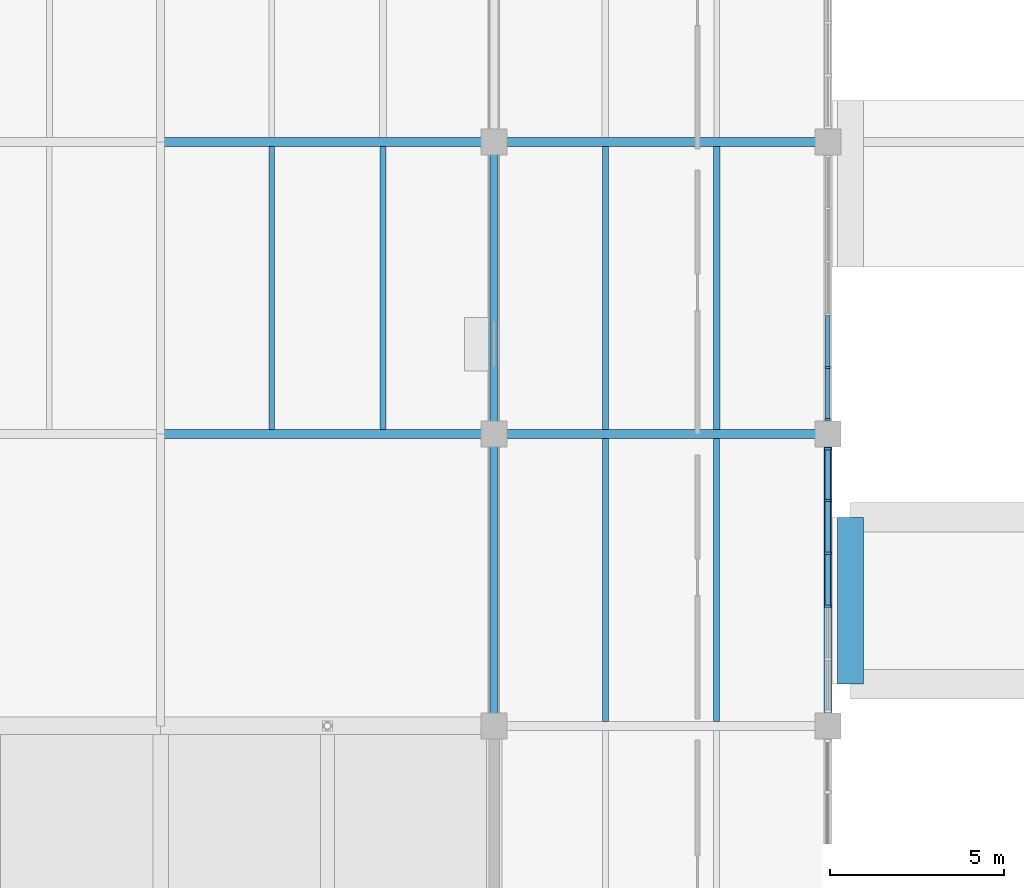
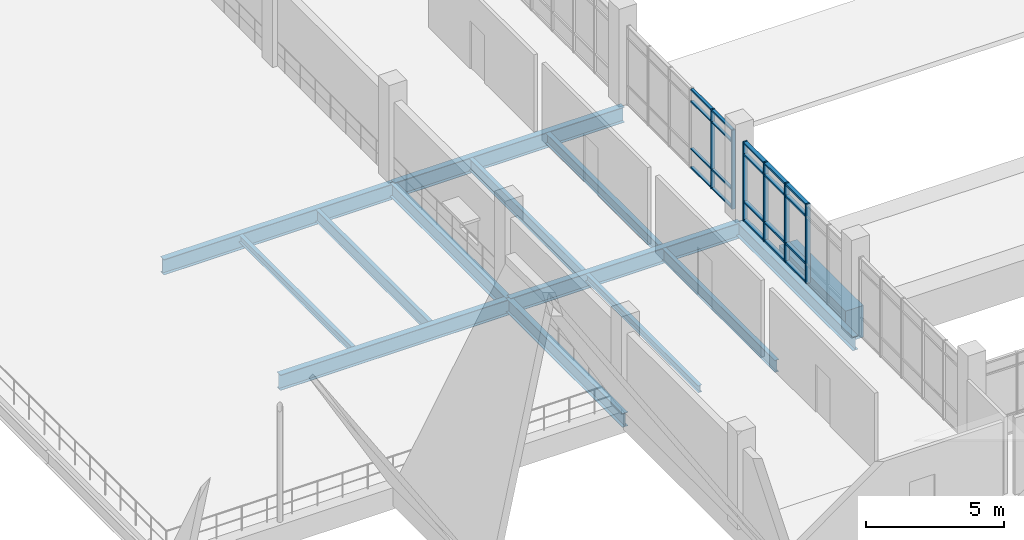
# One storey, part 22 of 86: 26 members, 14 beams, 2 elements without a shape of their own.
"""IFC4 building model written with IfcOpenShell, lengths in metres."""

import ifcopenshell
import ifcopenshell.guid

model = None  # the IFC model being written
_history = None  # IfcOwnerHistory: only IFC2X3 demands one
_inside = {}  # id of a spatial element -> (the spatial element, [elements in it])
_under = {}  # id of a project, library or spatial element -> (it, [spatial elements below it])
_declared = {}  # id of a project -> (the project, [libraries it declares])
_typed = {}  # id of a type object -> (the type object, [elements of that type])
_made_of = {}  # id of a material, layer set ... -> (it, [elements and type objects made of it])


def new_model(schema):
    """Start an empty IFC model of exactly this schema.

    Asked for "IFC4X3", IfcOpenShell would pick the latest addendum, in which some entities
    have other attributes; the version numbers below select the first issue.
    IFC2X3 requires an IfcOwnerHistory on every rooted entity: one is made here for all.
    """
    global model, _history
    if schema == "IFC4X3":
        model = ifcopenshell.file(schema_version=(4, 3, 0, 0))
    else:
        model = ifcopenshell.file(schema=schema)
    _inside.clear()
    _under.clear()
    _declared.clear()
    _typed.clear()
    _made_of.clear()
    _history = None
    if model.schema == "IFC2X3":
        org = make("IfcOrganization", Name="unknown")
        user = make(
            "IfcPersonAndOrganization",
            ThePerson=make("IfcPerson", FamilyName="unknown"),
            TheOrganization=org,
        )
        app = make(
            "IfcApplication",
            ApplicationDeveloper=org,
            Version="unknown",
            ApplicationFullName="unknown",
            ApplicationIdentifier="unknown",
        )
        _history = make(
            "IfcOwnerHistory",
            OwningUser=user,
            OwningApplication=app,
            ChangeAction="ADDED",
            CreationDate=0,
        )
    return model


def make(cls, **values):
    """One entity of the class cls with the attributes given. An attribute that is None is left unset."""
    return model.create_entity(
        cls, **{name: value for name, value in values.items() if value is not None}
    )


def rooted(cls, **values):
    """An entity with a GlobalId (a new one), such as an element, a storey or a relation."""
    return make(cls, GlobalId=ifcopenshell.guid.new(), OwnerHistory=_history, **values)


def si_unit(unit_type, name, prefix=None):
    """IfcSIUnit, for example si_unit("LENGTHUNIT", "METRE", prefix="MILLI")."""
    return make("IfcSIUnit", UnitType=unit_type, Prefix=prefix, Name=name)


def assignment(units):
    """IfcUnitAssignment: the units of a project."""
    return None if units is None else make("IfcUnitAssignment", Units=units)


def point(xyz):
    """IfcCartesianPoint."""
    return None if xyz is None else make("IfcCartesianPoint", Coordinates=xyz)


def direction(xyz):
    """IfcDirection."""
    return None if xyz is None else make("IfcDirection", DirectionRatios=xyz)


def frame(location, z_axis=None, x_axis=None):
    """IfcAxis2Placement3D, a coordinate frame: its origin and axes. An axis left out is left unset."""
    return make(
        "IfcAxis2Placement3D",
        Location=point(location),
        Axis=direction(z_axis),
        RefDirection=direction(x_axis),
    )


def frame_2d(location, x_axis=None):
    """IfcAxis2Placement2D, a coordinate frame in the plane: its origin and x axis."""
    return make(
        "IfcAxis2Placement2D", Location=point(location), RefDirection=direction(x_axis)
    )


def origin():
    """The frame at (0, 0, 0) with its axes left unset."""
    return frame((0.0, 0.0, 0.0))


def origin_2d():
    """The frame at (0, 0) in the plane with its x axis left unset."""
    return frame_2d((0.0, 0.0))


def place(relative_to, where):
    """IfcLocalPlacement: puts the frame where relative to a parent placement (None: the world)."""
    return make(
        "IfcLocalPlacement", PlacementRelTo=relative_to, RelativePlacement=where
    )


def context(
    kind, dimensions, precision=None, world=None, true_north=None, identifier=None
):
    """IfcGeometricRepresentationContext, for example the 3D "Model" context."""
    return make(
        "IfcGeometricRepresentationContext",
        ContextIdentifier=identifier,
        ContextType=kind,
        CoordinateSpaceDimension=dimensions,
        Precision=precision,
        WorldCoordinateSystem=world,
        TrueNorth=true_north,
    )


def subcontext(parent, identifier, kind, view, scale=None):
    """IfcGeometricRepresentationSubContext, for example "Body" below "Model"."""
    return make(
        "IfcGeometricRepresentationSubContext",
        ContextIdentifier=identifier,
        ContextType=kind,
        ParentContext=parent,
        TargetScale=scale,
        TargetView=view,
    )


def project(units=None, contexts=None):
    """IfcProject with its units and contexts."""
    return rooted(
        "IfcProject",
        Name="project",
        RepresentationContexts=contexts,
        UnitsInContext=assignment(units),
    )


def spatial(cls, under=None, at=None, **own):
    """A site, building, storey or space (cls), placed at a placement, below another one or the project."""
    s = rooted(cls, ObjectPlacement=at, **own)
    if under is not None:
        _under.setdefault(under.id(), (under, []))[1].append(s)
    return s


def profile(cls, at=None, kind="AREA", **sizes):
    """A parametric profile (cls). Its sizes go by their IFC names, for example OverallWidth=200.0."""
    return make(cls, ProfileType=kind, Position=at, **sizes)


def rectangle(**sizes):
    """IfcRectangleProfileDef."""
    return profile("IfcRectangleProfileDef", **sizes)


def i_section(**sizes):
    """IfcIShapeProfileDef."""
    return profile("IfcIShapeProfileDef", **sizes)


def extrude(swept, where, along, depth):
    """IfcExtrudedAreaSolid: the profile swept, set in the frame where, extruded along a direction by depth."""
    return make(
        "IfcExtrudedAreaSolid",
        SweptArea=swept,
        Position=where,
        ExtrudedDirection=direction(along),
        Depth=depth,
    )


def shape(context_of_items, identifier, shape_type, items):
    """IfcShapeRepresentation: the items that make up one representation, for example the "Body"."""
    return make(
        "IfcShapeRepresentation",
        ContextOfItems=context_of_items,
        RepresentationIdentifier=identifier,
        RepresentationType=shape_type,
        Items=items,
    )


def material(Name=None, Category=None):
    """IfcMaterial."""
    return make("IfcMaterial", Name=Name, Category=Category)


def material_profile(
    of_material, cross_section, Name=None, Category=None, Priority=None
):
    """IfcMaterialProfile: a cross section and its material."""
    return make(
        "IfcMaterialProfile",
        Name=Name,
        Material=of_material,
        Profile=cross_section,
        Priority=Priority,
        Category=Category,
    )


def profile_set(profiles, Name=None, composite=None):
    """IfcMaterialProfileSet."""
    return make(
        "IfcMaterialProfileSet",
        Name=Name,
        MaterialProfiles=profiles,
        CompositeProfile=composite,
    )


def made_of(thing, what):
    """Note that an element or type object is made of a material, layer set ...; save() writes the relation."""
    if what is not None:
        _made_of.setdefault(what.id(), (what, []))[1].append(thing)
    return thing


def type_object(cls, material=None, **own):
    """A type object (cls), such as IfcWallType, which elements share."""
    return made_of(rooted(cls, **own), material)


def element(
    cls,
    number,
    at=None,
    inside=None,
    cuts=None,
    type_object=None,
    material=None,
    context=None,
    identifier="Body",
    shape_type=None,
    held_by="IfcProductDefinitionShape",
    body=None,
    shapes=None,
    **own,
):
    """One element of the class cls, such as IfcWall. Its Tag is "e" and its number.

    at: its placement. inside: the storey or other place that contains it. cuts: it is an
    opening in that element (IfcRelVoidsElement). A single representation is given by context,
    identifier, shape_type and body (its items); several are given by shapes. held_by: the class
    of the entity that holds the representations. save() writes the other relations.
    """
    e = rooted(cls, Tag="e%d" % number, ObjectPlacement=at, **own)
    if body is not None:
        shapes = [shape(context, identifier, shape_type, body)]
    if shapes is not None:
        e.Representation = make(held_by, Representations=shapes)
    if inside is not None:
        _inside.setdefault(inside.id(), (inside, []))[1].append(e)
    if cuts is not None:
        rooted(
            "IfcRelVoidsElement", RelatingBuildingElement=cuts, RelatedOpeningElement=e
        )
    if type_object is not None:
        _typed.setdefault(type_object.id(), (type_object, []))[1].append(e)
    return made_of(e, material)


def aggregate(whole, parts):
    """IfcRelAggregates: a whole, such as a stair, and the parts it consists of."""
    return rooted("IfcRelAggregates", RelatingObject=whole, RelatedObjects=parts)


def save(model, path):
    """Write the relations noted so far, then the file.

    IfcRelAggregates (storeys below a building ...), IfcRelContainedInSpatialStructure (elements
    in a storey), IfcRelDefinesByType, IfcRelAssociatesMaterial and IfcRelDeclares: one each for
    every whole, place, type object, material and project.
    """
    for whole, parts in _under.values():
        aggregate(whole, parts)
    for where, things in _inside.values():
        rooted(
            "IfcRelContainedInSpatialStructure",
            RelatedElements=things,
            RelatingStructure=where,
        )
    for kind, things in _typed.values():
        rooted("IfcRelDefinesByType", RelatedObjects=things, RelatingType=kind)
    for what, things in _made_of.values():
        rooted("IfcRelAssociatesMaterial", RelatedObjects=things, RelatingMaterial=what)
    for by, libraries in _declared.values():
        rooted("IfcRelDeclares", RelatingContext=by, RelatedDefinitions=libraries)
    model.write(path)


model = new_model("IFC4")

# Units and contexts
model_context = context("Model", 3, precision=1e-05, world=origin(), true_north=direction((0.0, 1.0)))
body_context = subcontext(model_context, "Body", "Model", "MODEL_VIEW")
ifc_project = project(units=[si_unit("LENGTHUNIT", "METRE"), si_unit("AREAUNIT", "SQUARE_METRE"), si_unit("VOLUMEUNIT", "CUBIC_METRE"), si_unit("PLANEANGLEUNIT", "RADIAN"), si_unit("MASSUNIT", "GRAM", prefix="KILO")], contexts=[model_context])

# Site, building, storey
site_placement = place(None, origin())
site = spatial("IfcSite", under=ifc_project, at=site_placement, CompositionType="ELEMENT")
building_placement = place(site_placement, origin())
building = spatial("IfcBuilding", under=site, at=building_placement, Name="Oolite Switchyard Hospital", CompositionType="ELEMENT")
storey_placement = place(building_placement, frame((0.0, 0.0, 13.5)))
storey = spatial("IfcBuildingStorey", under=building, at=storey_placement, Name="L03", CompositionType="ELEMENT", Elevation=13.5)

# Beams
ifc_material_1 = material(Name="Concrete C40/50", Category="concrete")
ifc_material_profile_1 = material_profile(ifc_material_1, rectangle(XDim=0.75, YDim=1.39990234375, at=origin_2d()), Name="RCT750X1400")
ifc_profile_set_1 = profile_set([ifc_material_profile_1], Name="Concrete C40/50")
beam_type_1 = type_object("IfcBeamType", Name="BM-TR750X1400", PredefinedType="BEAM", material=ifc_profile_set_1)
beam_1_placement = place(storey_placement, frame((144.64990234375, 34.800048828125, -0.699951171875), z_axis=(0.0, 1.0, 0.0), x_axis=(-1.0, 0.0, 0.0)))
element("IfcBeam", 1, at=beam_1_placement, inside=storey, type_object=beam_type_1, Name="L03 Y-Girder 2310", PredefinedType="BEAM", context=body_context, shape_type="SweptSolid", body=[
    extrude(rectangle(XDim=0.75, YDim=1.39990234375, at=origin_2d()), origin(), (0.0, 0.0, 1.0), 4.800048828125),
])
ifc_material_2 = material(Name="Steel ASTM A992 Grade 50", Category="steel")
ifc_material_profile_2 = material_profile(ifc_material_2, i_section(OverallWidth=0.1650390625, OverallDepth=0.31005859375, WebThickness=0.006103515625, FlangeThickness=0.010009765625, at=origin_2d()), Name="W12X26")
ifc_profile_set_2 = profile_set([ifc_material_profile_2], Name="Steel ASTM A992 Grade 50")
beam_type_2 = type_object("IfcBeamType", Name="BM-W12X26", PredefinedType="JOIST", material=ifc_profile_set_2)
for number, where, z_axis, x_axis, name in (
    (2, (128.0, 42.126953125, -0.445068359375), (0.0, 1.0, 0.0), (-1.0, 0.0, 0.0), "L03 Secondary Steel Joist 2574"),
    (3, (137.60009765625, 33.72705078125, -0.429931640625), (0.0, 1.0, 0.0), (-1.0, 0.0, 0.0), "L03 Secondary Steel Joist 2594"),
):
    element("IfcBeam", number, at=place(storey_placement, frame(where, z_axis=z_axis, x_axis=x_axis)), inside=storey, type_object=beam_type_2, Name=name, PredefinedType="JOIST", context=body_context, shape_type="SweptSolid", body=[
        extrude(i_section(OverallWidth=0.1650390625, OverallDepth=0.31005859375, WebThickness=0.006103515625, FlangeThickness=0.010009765625, at=origin_2d()), origin(), (0.0, 0.0, 1.0), 8.14599609375),
    ])
ifc_material_profile_3 = material_profile(ifc_material_2, i_section(OverallWidth=0.19091796875, OverallDepth=0.4599609375, WebThickness=0.010009765625, FlangeThickness=0.01611328125, at=origin_2d()), Name="W18X55")
ifc_profile_set_3 = profile_set([ifc_material_profile_3], Name="Steel ASTM A992 Grade 50")
beam_type_3 = type_object("IfcBeamType", Name="BM-W18X55", PredefinedType="JOIST", material=ifc_profile_set_3)
beam_2_placement = place(storey_placement, frame((140.800048828125, 42.126953125, -0.5048828125), z_axis=(0.0, 1.0, 0.0), x_axis=(-1.0, 0.0, 0.0)))
element("IfcBeam", 4, at=beam_2_placement, inside=storey, type_object=beam_type_3, Name="L03 Secondary Steel Joist 2597", PredefinedType="JOIST", context=body_context, shape_type="SweptSolid", body=[
    extrude(i_section(OverallWidth=0.19091796875, OverallDepth=0.4599609375, WebThickness=0.010009765625, FlangeThickness=0.01611328125, at=origin_2d()), origin(), (0.0, 0.0, 1.0), 8.14599609375),
])
ifc_material_profile_4 = material_profile(ifc_material_2, i_section(OverallWidth=0.166015625, OverallDepth=0.529052734375, WebThickness=0.010009765625, FlangeThickness=0.013916015625, at=origin_2d()), Name="W21X50")
ifc_profile_set_4 = profile_set([ifc_material_profile_4], Name="Steel ASTM A992 Grade 50")
beam_type_4 = type_object("IfcBeamType", Name="BM-W21X50", PredefinedType="JOIST", material=ifc_profile_set_4)
for number, where, z_axis, x_axis, name in (
    (5, (131.199951171875, 42.126953125, -0.553955078125), (0.0, 1.0, 0.0), (-1.0, 0.0, 0.0), "L03 Secondary Steel Joist 2575"),
    (6, (140.800048828125, 33.72705078125, -0.5400390625), (0.0, 1.0, 0.0), (-1.0, 0.0, 0.0), "L03 Secondary Steel Joist 2595"),
    (7, (137.60009765625, 42.126953125, -0.5400390625), (0.0, 1.0, 0.0), (-1.0, 0.0, 0.0), "L03 Secondary Steel Joist 2596"),
):
    element("IfcBeam", number, at=place(storey_placement, frame(where, z_axis=z_axis, x_axis=x_axis)), inside=storey, type_object=beam_type_4, Name=name, PredefinedType="JOIST", context=body_context, shape_type="SweptSolid", body=[
        extrude(i_section(OverallWidth=0.166015625, OverallDepth=0.529052734375, WebThickness=0.010009765625, FlangeThickness=0.013916015625, at=origin_2d()), origin(), (0.0, 0.0, 1.0), 8.14599609375),
    ])
ifc_material_profile_5 = material_profile(ifc_material_2, i_section(OverallWidth=0.22900390625, OverallDepth=0.612060546875, WebThickness=0.011962890625, FlangeThickness=0.02001953125, at=origin_2d()), Name="W24X84")
ifc_profile_set_5 = profile_set([ifc_material_profile_5], Name="Steel ASTM A992 Grade 50")
beam_type_5 = type_object("IfcBeamType", Name="BM-W24X84", PredefinedType="BEAM", material=ifc_profile_set_5)
for number, where, z_axis, x_axis, name in (
    (8, (134.39990234375, 33.60009765625, -0.595947265625), (0.0, 1.0, 0.0), (-1.0, 0.0, 0.0), "L03 Y-Girder 2283"),
    (9, (134.39990234375, 42.0, -0.595947265625), (0.0, 1.0, 0.0), (-1.0, 0.0, 0.0), "L03 Y-Girder 2284"),
    (10, (144.0, 33.60009765625, -0.5810546875), (0.0, 1.0, 0.0), (-1.0, 0.0, 0.0), "L03 Y-Girder 2298"),
):
    element("IfcBeam", number, at=place(storey_placement, frame(where, z_axis=z_axis, x_axis=x_axis)), inside=storey, type_object=beam_type_5, Name=name, PredefinedType="BEAM", context=body_context, shape_type="SweptSolid", body=[
        extrude(i_section(OverallWidth=0.22900390625, OverallDepth=0.612060546875, WebThickness=0.011962890625, FlangeThickness=0.02001953125, at=origin_2d()), origin(), (0.0, 0.0, 1.0), 8.39990234375),
    ])
ifc_material_profile_6 = material_profile(ifc_material_2, i_section(OverallWidth=0.25390625, OverallDepth=0.68408203125, WebThickness=0.011962890625, FlangeThickness=0.01904296875, at=origin_2d()), Name="W27X94")
ifc_profile_set_6 = profile_set([ifc_material_profile_6], Name="Steel ASTM A992 Grade 50")
beam_type_6 = type_object("IfcBeamType", Name="BM-W27X94", PredefinedType="BEAM", material=ifc_profile_set_6)
beam_3_placement = place(storey_placement, frame((124.800048828125, 42.0, -0.632080078125), z_axis=(1.0, 0.0, 0.0), x_axis=(0.0, 1.0, 0.0)))
element("IfcBeam", 11, at=beam_3_placement, inside=storey, type_object=beam_type_6, Name="L03 X-Girder 1970", PredefinedType="BEAM", context=body_context, shape_type="SweptSolid", body=[
    extrude(i_section(OverallWidth=0.25390625, OverallDepth=0.68408203125, WebThickness=0.011962890625, FlangeThickness=0.01904296875, at=origin_2d()), origin(), (0.0, 0.0, 1.0), 9.599853515625),
])
beam_4_placement = place(storey_placement, frame((134.39990234375, 42.0, -0.616943359375), z_axis=(1.0, 0.0, 0.0), x_axis=(0.0, 1.0, 0.0)))
element("IfcBeam", 12, at=beam_4_placement, inside=storey, type_object=beam_type_6, Name="L03 X-Girder 1971", PredefinedType="BEAM", context=body_context, shape_type="SweptSolid", body=[
    extrude(i_section(OverallWidth=0.25390625, OverallDepth=0.68408203125, WebThickness=0.011962890625, FlangeThickness=0.01904296875, at=origin_2d()), origin(), (0.0, 0.0, 1.0), 9.60009765625),
])
beam_5_placement = place(storey_placement, frame((124.800048828125, 50.39990234375, -0.632080078125), z_axis=(1.0, 0.0, 0.0), x_axis=(0.0, 1.0, 0.0)))
element("IfcBeam", 13, at=beam_5_placement, inside=storey, type_object=beam_type_6, Name="L03 X-Girder 1982", PredefinedType="BEAM", context=body_context, shape_type="SweptSolid", body=[
    extrude(i_section(OverallWidth=0.25390625, OverallDepth=0.68408203125, WebThickness=0.011962890625, FlangeThickness=0.01904296875, at=origin_2d()), origin(), (0.0, 0.0, 1.0), 9.599853515625),
])
beam_6_placement = place(storey_placement, frame((134.39990234375, 50.39990234375, -0.616943359375), z_axis=(1.0, 0.0, 0.0), x_axis=(0.0, 1.0, 0.0)))
element("IfcBeam", 14, at=beam_6_placement, inside=storey, type_object=beam_type_6, Name="L03 X-Girder 1983", PredefinedType="BEAM", context=body_context, shape_type="SweptSolid", body=[
    extrude(i_section(OverallWidth=0.25390625, OverallDepth=0.68408203125, WebThickness=0.011962890625, FlangeThickness=0.01904296875, at=origin_2d()), origin(), (0.0, 0.0, 1.0), 9.60009765625),
])

# Curtain wall, members
ifc_material_3 = material(Name="Thermally broken aluminum frame with laminated impact glazing", Category="aluminium")
curtain_wall_type = type_object("IfcCurtainWallType", Name="CW-UNIT-84X43", PredefinedType="USERDEFINED", material=ifc_material_3)
curtain_wall_1_placement = place(storey_placement, origin())
curtain_wall_1 = element("IfcCurtainWall", 15, at=curtain_wall_1_placement, inside=storey, type_object=curtain_wall_type, Name="L03 Unitised Curtain Wall 342", ObjectType="UNITISED", PredefinedType="USERDEFINED")
ifc_material_4 = material(Name="Aluminium 6063-T6", Category="aluminium")
ifc_material_profile_7 = material_profile(ifc_material_4, rectangle(XDim=0.159912109375, YDim=0.06005859375, at=origin_2d()), Name="CWM60X160")
ifc_profile_set_7 = profile_set([ifc_material_profile_7], Name="Aluminium 6063-T6")
member_type_1 = type_object("IfcMemberType", Name="CW-MUL-180", PredefinedType="MULLION", material=ifc_profile_set_7)
member_1_placement = place(storey_placement, frame((144.0, 43.9140625, 0.0), z_axis=(0.0, 0.0, 1.0), x_axis=(1.0, 0.0, 0.0)))
member_1 = element("IfcMember", 16, at=member_1_placement, type_object=member_type_1, Name="CW-09 mullion 5", PredefinedType="MULLION", context=body_context, shape_type="SweptSolid", body=[
    extrude(rectangle(XDim=0.159912109375, YDim=0.06005859375, at=origin_2d()), origin(), (0.0, 0.0, 1.0), 3.489990234375),
])
member_2_placement = place(storey_placement, frame((144.0, 42.419921875, 0.0), z_axis=(0.0, 0.0, 1.0), x_axis=(1.0, 0.0, 0.0)))
member_2 = element("IfcMember", 17, at=member_2_placement, type_object=member_type_1, Name="CW-09 mullion 6", PredefinedType="MULLION", context=body_context, shape_type="SweptSolid", body=[
    extrude(rectangle(XDim=0.159912109375, YDim=0.06005859375, at=origin_2d()), origin(), (0.0, 0.0, 1.0), 3.489990234375),
])

curtain_wall_2_placement = place(storey_placement, origin())
curtain_wall_2 = element("IfcCurtainWall", 18, at=curtain_wall_2_placement, inside=storey, type_object=curtain_wall_type, Name="L03 Unitised Curtain Wall 343", ObjectType="UNITISED", PredefinedType="USERDEFINED")
ifc_material_profile_8 = material_profile(ifc_material_4, rectangle(XDim=0.179931640625, YDim=0.070068359375, at=origin_2d()), Name="CWM70X180")
ifc_profile_set_8 = profile_set([ifc_material_profile_8], Name="Aluminium 6063-T6")
member_type_2 = type_object("IfcMemberType", Name="CW-MUL-220", PredefinedType="MULLION", material=ifc_profile_set_8)
member_3_placement = place(storey_placement, frame((144.0, 41.574951171875, 0.0), z_axis=(0.0, 0.0, 1.0), x_axis=(1.0, 0.0, 0.0)))
member_3 = element("IfcMember", 19, at=member_3_placement, type_object=member_type_2, Name="CW-09 mullion 1", PredefinedType="MULLION", context=body_context, shape_type="SweptSolid", body=[
    extrude(rectangle(XDim=0.179931640625, YDim=0.070068359375, at=origin_2d()), origin(), (0.0, 0.0, 1.0), 3.489990234375),
])
member_4_placement = place(storey_placement, frame((144.0, 40.0859375, 0.0), z_axis=(0.0, 0.0, 1.0), x_axis=(1.0, 0.0, 0.0)))
member_4 = element("IfcMember", 20, at=member_4_placement, type_object=member_type_2, Name="CW-09 mullion 2", PredefinedType="MULLION", context=body_context, shape_type="SweptSolid", body=[
    extrude(rectangle(XDim=0.179931640625, YDim=0.070068359375, at=origin_2d()), origin(), (0.0, 0.0, 1.0), 3.489990234375),
])
member_5_placement = place(storey_placement, frame((144.0, 38.56201171875, 0.0), z_axis=(0.0, 0.0, 1.0), x_axis=(1.0, 0.0, 0.0)))
member_5 = element("IfcMember", 21, at=member_5_placement, type_object=member_type_2, Name="CW-09 mullion 3", PredefinedType="MULLION", context=body_context, shape_type="SweptSolid", body=[
    extrude(rectangle(XDim=0.179931640625, YDim=0.070068359375, at=origin_2d()), origin(), (0.0, 0.0, 1.0), 3.489990234375),
])
member_6_placement = place(storey_placement, frame((144.0, 37.0380859375, 0.0), z_axis=(0.0, 0.0, 1.0), x_axis=(1.0, 0.0, 0.0)))
member_6 = element("IfcMember", 22, at=member_6_placement, type_object=member_type_2, Name="CW-09 mullion 4", PredefinedType="MULLION", context=body_context, shape_type="SweptSolid", body=[
    extrude(rectangle(XDim=0.179931640625, YDim=0.070068359375, at=origin_2d()), origin(), (0.0, 0.0, 1.0), 3.489990234375),
])

# Member
ifc_material_profile_9 = material_profile(ifc_material_4, rectangle(XDim=0.1201171875, YDim=0.06005859375, at=origin_2d()), Name="CWT60X120")
ifc_profile_set_9 = profile_set([ifc_material_profile_9], Name="Aluminium 6063-T6")
member_type_3 = type_object("IfcMemberType", Name="CW-TRN-150", PredefinedType="USERDEFINED", material=ifc_profile_set_9)
member_7_placement = place(storey_placement, frame((144.0, 45.407958984375, 0.030029296875), z_axis=(0.0, -1.0, 0.0), x_axis=(1.0, 0.0, 0.0)))
member_7 = element("IfcMember", 23, at=member_7_placement, type_object=member_type_3, Name="CW-09 transom 4.1", ObjectType="TRANSOM", PredefinedType="USERDEFINED", context=body_context, shape_type="SweptSolid", body=[
    extrude(rectangle(XDim=0.1201171875, YDim=0.06005859375, at=origin_2d()), origin(), (0.0, 0.0, 1.0), 1.4638671875),
])

member_8_placement = place(storey_placement, frame((144.0, 45.407958984375, 0.85009765625), z_axis=(0.0, -1.0, 0.0), x_axis=(1.0, 0.0, 0.0)))
member_8 = element("IfcMember", 24, at=member_8_placement, type_object=member_type_3, Name="CW-09 transom 4.2", ObjectType="TRANSOM", PredefinedType="USERDEFINED", context=body_context, shape_type="SweptSolid", body=[
    extrude(rectangle(XDim=0.1201171875, YDim=0.06005859375, at=origin_2d()), origin(), (0.0, 0.0, 1.0), 1.4638671875),
])

member_9_placement = place(storey_placement, frame((144.0, 45.407958984375, 2.93994140625), z_axis=(0.0, -1.0, 0.0), x_axis=(1.0, 0.0, 0.0)))
member_9 = element("IfcMember", 25, at=member_9_placement, type_object=member_type_3, Name="CW-09 transom 4.3", ObjectType="TRANSOM", PredefinedType="USERDEFINED", context=body_context, shape_type="SweptSolid", body=[
    extrude(rectangle(XDim=0.1201171875, YDim=0.06005859375, at=origin_2d()), origin(), (0.0, 0.0, 1.0), 1.4638671875),
])

member_10_placement = place(storey_placement, frame((144.0, 45.407958984375, 3.4599609375), z_axis=(0.0, -1.0, 0.0), x_axis=(1.0, 0.0, 0.0)))
member_10 = element("IfcMember", 26, at=member_10_placement, type_object=member_type_3, Name="CW-09 transom 4.4", ObjectType="TRANSOM", PredefinedType="USERDEFINED", context=body_context, shape_type="SweptSolid", body=[
    extrude(rectangle(XDim=0.1201171875, YDim=0.06005859375, at=origin_2d()), origin(), (0.0, 0.0, 1.0), 1.4638671875),
])

member_11_placement = place(storey_placement, frame((144.0, 43.884033203125, 0.030029296875), z_axis=(0.0, -1.0, 0.0), x_axis=(1.0, 0.0, 0.0)))
member_11 = element("IfcMember", 27, at=member_11_placement, type_object=member_type_3, Name="CW-09 transom 5.1", ObjectType="TRANSOM", PredefinedType="USERDEFINED", context=body_context, shape_type="SweptSolid", body=[
    extrude(rectangle(XDim=0.1201171875, YDim=0.06005859375, at=origin_2d()), origin(), (0.0, 0.0, 1.0), 1.43408203125),
])

member_12_placement = place(storey_placement, frame((144.0, 43.884033203125, 0.85009765625), z_axis=(0.0, -1.0, 0.0), x_axis=(1.0, 0.0, 0.0)))
member_12 = element("IfcMember", 28, at=member_12_placement, type_object=member_type_3, Name="CW-09 transom 5.2", ObjectType="TRANSOM", PredefinedType="USERDEFINED", context=body_context, shape_type="SweptSolid", body=[
    extrude(rectangle(XDim=0.1201171875, YDim=0.06005859375, at=origin_2d()), origin(), (0.0, 0.0, 1.0), 1.43408203125),
])

member_13_placement = place(storey_placement, frame((144.0, 43.884033203125, 2.93994140625), z_axis=(0.0, -1.0, 0.0), x_axis=(1.0, 0.0, 0.0)))
member_13 = element("IfcMember", 29, at=member_13_placement, type_object=member_type_3, Name="CW-09 transom 5.3", ObjectType="TRANSOM", PredefinedType="USERDEFINED", context=body_context, shape_type="SweptSolid", body=[
    extrude(rectangle(XDim=0.1201171875, YDim=0.06005859375, at=origin_2d()), origin(), (0.0, 0.0, 1.0), 1.43408203125),
])

member_14_placement = place(storey_placement, frame((144.0, 43.884033203125, 3.4599609375), z_axis=(0.0, -1.0, 0.0), x_axis=(1.0, 0.0, 0.0)))
member_14 = element("IfcMember", 30, at=member_14_placement, type_object=member_type_3, Name="CW-09 transom 5.4", ObjectType="TRANSOM", PredefinedType="USERDEFINED", context=body_context, shape_type="SweptSolid", body=[
    extrude(rectangle(XDim=0.1201171875, YDim=0.06005859375, at=origin_2d()), origin(), (0.0, 0.0, 1.0), 1.43408203125),
])

aggregate(curtain_wall_1, [member_1, member_2, member_7, member_8, member_9, member_10, member_11, member_12, member_13, member_14])

ifc_material_profile_10 = material_profile(ifc_material_4, rectangle(XDim=0.159912109375, YDim=0.074951171875, at=origin_2d()), Name="CWT75X160")
ifc_profile_set_10 = profile_set([ifc_material_profile_10], Name="Aluminium 6063-T6")
member_type_4 = type_object("IfcMemberType", Name="CW-TRN-180", PredefinedType="USERDEFINED", material=ifc_profile_set_10)
member_15_placement = place(storey_placement, frame((144.0, 41.5400390625, 0.03759765625), z_axis=(0.0, -1.0, 0.0), x_axis=(1.0, 0.0, 0.0)))
member_15 = element("IfcMember", 31, at=member_15_placement, type_object=member_type_4, Name="CW-09 transom 1.1", ObjectType="TRANSOM", PredefinedType="USERDEFINED", context=body_context, shape_type="SweptSolid", body=[
    extrude(rectangle(XDim=0.159912109375, YDim=0.074951171875, at=origin_2d()), origin(), (0.0, 0.0, 1.0), 1.4189453125),
])

member_16_placement = place(storey_placement, frame((144.0, 41.5400390625, 0.85009765625), z_axis=(0.0, -1.0, 0.0), x_axis=(1.0, 0.0, 0.0)))
member_16 = element("IfcMember", 32, at=member_16_placement, type_object=member_type_4, Name="CW-09 transom 1.2", ObjectType="TRANSOM", PredefinedType="USERDEFINED", context=body_context, shape_type="SweptSolid", body=[
    extrude(rectangle(XDim=0.159912109375, YDim=0.074951171875, at=origin_2d()), origin(), (0.0, 0.0, 1.0), 1.4189453125),
])

member_17_placement = place(storey_placement, frame((144.0, 41.5400390625, 2.93994140625), z_axis=(0.0, -1.0, 0.0), x_axis=(1.0, 0.0, 0.0)))
member_17 = element("IfcMember", 33, at=member_17_placement, type_object=member_type_4, Name="CW-09 transom 1.3", ObjectType="TRANSOM", PredefinedType="USERDEFINED", context=body_context, shape_type="SweptSolid", body=[
    extrude(rectangle(XDim=0.159912109375, YDim=0.074951171875, at=origin_2d()), origin(), (0.0, 0.0, 1.0), 1.4189453125),
])

member_18_placement = place(storey_placement, frame((144.0, 41.5400390625, 3.452392578125), z_axis=(0.0, -1.0, 0.0), x_axis=(1.0, 0.0, 0.0)))
member_18 = element("IfcMember", 34, at=member_18_placement, type_object=member_type_4, Name="CW-09 transom 1.4", ObjectType="TRANSOM", PredefinedType="USERDEFINED", context=body_context, shape_type="SweptSolid", body=[
    extrude(rectangle(XDim=0.159912109375, YDim=0.074951171875, at=origin_2d()), origin(), (0.0, 0.0, 1.0), 1.4189453125),
])

member_19_placement = place(storey_placement, frame((144.0, 40.051025390625, 0.03759765625), z_axis=(0.0, -1.0, 0.0), x_axis=(1.0, 0.0, 0.0)))
member_19 = element("IfcMember", 35, at=member_19_placement, type_object=member_type_4, Name="CW-09 transom 2.1", ObjectType="TRANSOM", PredefinedType="USERDEFINED", context=body_context, shape_type="SweptSolid", body=[
    extrude(rectangle(XDim=0.159912109375, YDim=0.074951171875, at=origin_2d()), origin(), (0.0, 0.0, 1.0), 1.4541015625),
])

member_20_placement = place(storey_placement, frame((144.0, 40.051025390625, 0.85009765625), z_axis=(0.0, -1.0, 0.0), x_axis=(1.0, 0.0, 0.0)))
member_20 = element("IfcMember", 36, at=member_20_placement, type_object=member_type_4, Name="CW-09 transom 2.2", ObjectType="TRANSOM", PredefinedType="USERDEFINED", context=body_context, shape_type="SweptSolid", body=[
    extrude(rectangle(XDim=0.159912109375, YDim=0.074951171875, at=origin_2d()), origin(), (0.0, 0.0, 1.0), 1.4541015625),
])

member_21_placement = place(storey_placement, frame((144.0, 40.051025390625, 2.93994140625), z_axis=(0.0, -1.0, 0.0), x_axis=(1.0, 0.0, 0.0)))
member_21 = element("IfcMember", 37, at=member_21_placement, type_object=member_type_4, Name="CW-09 transom 2.3", ObjectType="TRANSOM", PredefinedType="USERDEFINED", context=body_context, shape_type="SweptSolid", body=[
    extrude(rectangle(XDim=0.159912109375, YDim=0.074951171875, at=origin_2d()), origin(), (0.0, 0.0, 1.0), 1.4541015625),
])

member_22_placement = place(storey_placement, frame((144.0, 40.051025390625, 3.452392578125), z_axis=(0.0, -1.0, 0.0), x_axis=(1.0, 0.0, 0.0)))
member_22 = element("IfcMember", 38, at=member_22_placement, type_object=member_type_4, Name="CW-09 transom 2.4", ObjectType="TRANSOM", PredefinedType="USERDEFINED", context=body_context, shape_type="SweptSolid", body=[
    extrude(rectangle(XDim=0.159912109375, YDim=0.074951171875, at=origin_2d()), origin(), (0.0, 0.0, 1.0), 1.4541015625),
])

member_23_placement = place(storey_placement, frame((144.0, 38.527099609375, 0.03759765625), z_axis=(0.0, -1.0, 0.0), x_axis=(1.0, 0.0, 0.0)))
member_23 = element("IfcMember", 39, at=member_23_placement, type_object=member_type_4, Name="CW-09 transom 3.1", ObjectType="TRANSOM", PredefinedType="USERDEFINED", context=body_context, shape_type="SweptSolid", body=[
    extrude(rectangle(XDim=0.159912109375, YDim=0.074951171875, at=origin_2d()), origin(), (0.0, 0.0, 1.0), 1.4541015625),
])

member_24_placement = place(storey_placement, frame((144.0, 38.527099609375, 0.85009765625), z_axis=(0.0, -1.0, 0.0), x_axis=(1.0, 0.0, 0.0)))
member_24 = element("IfcMember", 40, at=member_24_placement, type_object=member_type_4, Name="CW-09 transom 3.2", ObjectType="TRANSOM", PredefinedType="USERDEFINED", context=body_context, shape_type="SweptSolid", body=[
    extrude(rectangle(XDim=0.159912109375, YDim=0.074951171875, at=origin_2d()), origin(), (0.0, 0.0, 1.0), 1.4541015625),
])

member_25_placement = place(storey_placement, frame((144.0, 38.527099609375, 2.93994140625), z_axis=(0.0, -1.0, 0.0), x_axis=(1.0, 0.0, 0.0)))
member_25 = element("IfcMember", 41, at=member_25_placement, type_object=member_type_4, Name="CW-09 transom 3.3", ObjectType="TRANSOM", PredefinedType="USERDEFINED", context=body_context, shape_type="SweptSolid", body=[
    extrude(rectangle(XDim=0.159912109375, YDim=0.074951171875, at=origin_2d()), origin(), (0.0, 0.0, 1.0), 1.4541015625),
])

member_26_placement = place(storey_placement, frame((144.0, 38.527099609375, 3.452392578125), z_axis=(0.0, -1.0, 0.0), x_axis=(1.0, 0.0, 0.0)))
member_26 = element("IfcMember", 42, at=member_26_placement, type_object=member_type_4, Name="CW-09 transom 3.4", ObjectType="TRANSOM", PredefinedType="USERDEFINED", context=body_context, shape_type="SweptSolid", body=[
    extrude(rectangle(XDim=0.159912109375, YDim=0.074951171875, at=origin_2d()), origin(), (0.0, 0.0, 1.0), 1.4541015625),
])

aggregate(curtain_wall_2, [member_3, member_4, member_5, member_6, member_15, member_16, member_17, member_18, member_19, member_20, member_21, member_22, member_23, member_24, member_25, member_26])

save(model, "model.ifc")
